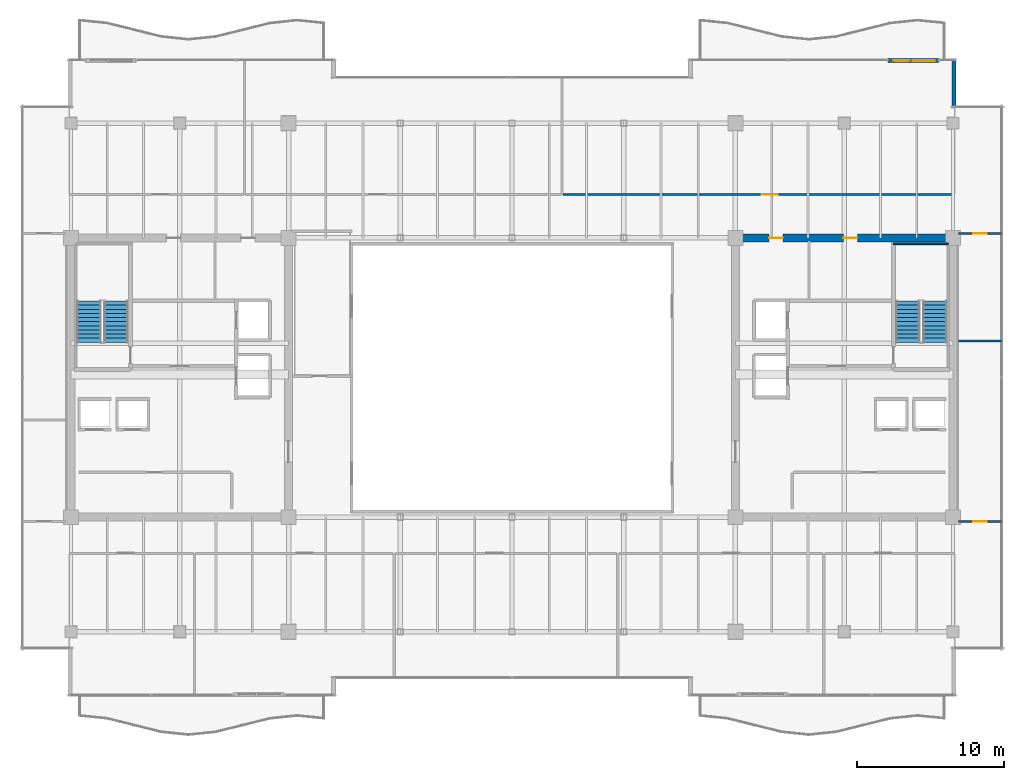
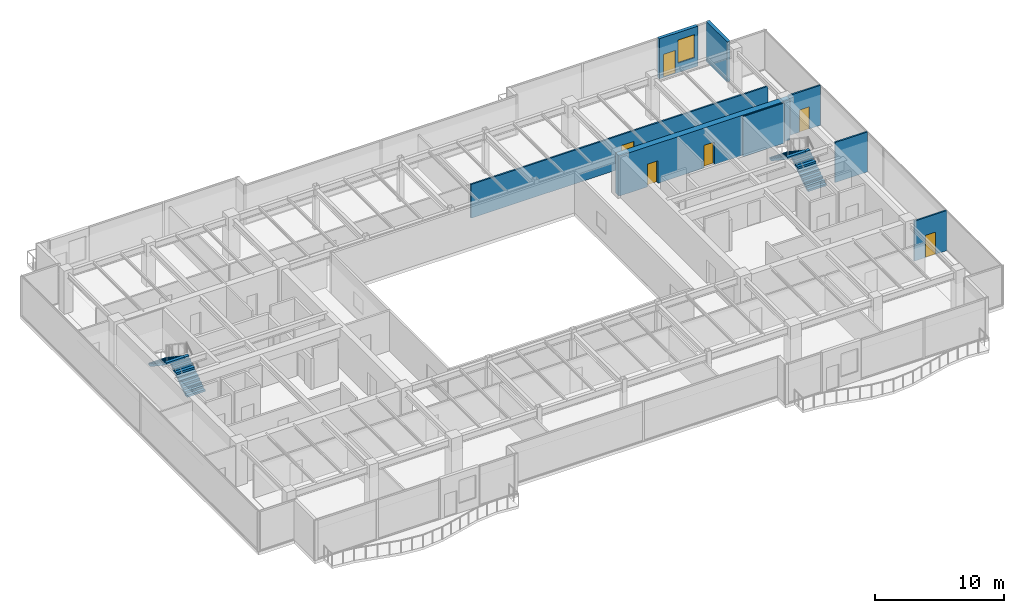
# One storey, part 31 of 35: 8 walls, 6 doors, 4 stair flights, 1 window, 7 openings, 2 elements without a shape of their own.
"""IFC4 building model written with IfcOpenShell, lengths in metres."""

from ifc_helpers import new_model, si_unit, direction, frame, frame_2d, origin, place, context, subcontext, project, spatial, polyline, rectangle, outline, extrude, source, transform, mapped, material, layer, layer_set, type_object, type_shapes, element, fill, aggregate, save


model = new_model("IFC4")

# Units and contexts
model_context = context("Model", 3, precision=1e-05, world=origin(), true_north=direction((0.0, 1.0)))
body_context = subcontext(model_context, "Body", "Model", "MODEL_VIEW")
ifc_project = project(units=[si_unit("LENGTHUNIT", "METRE"), si_unit("AREAUNIT", "SQUARE_METRE"), si_unit("VOLUMEUNIT", "CUBIC_METRE"), si_unit("PLANEANGLEUNIT", "RADIAN"), si_unit("MASSUNIT", "GRAM", prefix="KILO")], contexts=[model_context])

# Site, building, storey
site_placement = place(None, origin())
site = spatial("IfcSite", under=ifc_project, at=site_placement, CompositionType="ELEMENT")
building_placement = place(site_placement, origin())
building = spatial("IfcBuilding", under=site, at=building_placement, Name="Haelvirn Gate Laboratories", CompositionType="ELEMENT")
storey_placement = place(building_placement, frame((0.0, 0.0, 283.39990234375)))
storey = spatial("IfcBuildingStorey", under=building, at=storey_placement, Name="L68", CompositionType="ELEMENT", Elevation=283.39990234375)

# Wall, openings, door, window
ifc_material_1 = material(Name="Thermally-broken bronze aluminium rainscreen & mineral wool", Category="aluminium")
ifc_layer_1 = layer(ifc_material_1, 0.280029296875, Name="EW-TERR-280")
ifc_layer_set_1 = layer_set([ifc_layer_1], Name="Thermally-broken bronze aluminium rainscreen & mineral wool")
wall_type_1 = type_object("IfcWallType", Name="EW-TERR-280", PredefinedType="STANDARD", material=ifc_layer_set_1)
wall_1_placement = place(storey_placement, frame((62.971923828125, 45.860107421875, 0.0), z_axis=(0.0, 0.0, 1.0), x_axis=(1.0, 0.0, 0.0)))
wall_1 = element("IfcWall", 1, at=wall_1_placement, inside=storey, type_object=wall_type_1, Name="L68 Terrace Access Wall WB-EL-N", PredefinedType="STANDARD", context=body_context, shape_type="SweptSolid", body=[
    extrude(rectangle(XDim=3.4560546875, YDim=0.280029296875, at=frame_2d((1.72802734375, 0.0))), origin(), (0.0, 0.0, 1.0), 3.800048828125),
])
opening_1_placement = place(wall_1_placement, frame((0.3779296875, 0.0, 0.0)))
opening_1 = element("IfcOpeningElement", 2, at=opening_1_placement, cuts=wall_1, Name="Opening TD1", PredefinedType="OPENING", context=body_context, shape_type="SweptSolid", body=[
    extrude(rectangle(XDim=1.10009765625, YDim=2.199951171875, at=frame_2d((0.550048828125, 1.10009765625))), frame((0.0, 0.14990234375, 0.0), z_axis=(0.0, -1.0, 0.0), x_axis=(1.0, 0.0, 0.0)), (0.0, 0.0, 1.0), 0.300048828125),
])
opening_2_placement = place(wall_1_placement, frame((1.677978515625, 0.0, 0.89990234375)))
opening_2 = element("IfcOpeningElement", 3, at=opening_2_placement, cuts=wall_1, Name="Opening W3", PredefinedType="OPENING", context=body_context, shape_type="SweptSolid", body=[
    extrude(rectangle(XDim=1.5, YDim=2.199951171875, at=frame_2d((0.75, 1.10009765625))), frame((0.0, 0.14990234375, 0.0), z_axis=(0.0, -1.0, 0.0), x_axis=(1.0, 0.0, 0.0)), (0.0, 0.0, 1.0), 0.300048828125),
])
ifc_material_2 = material(Name="Thermally-broken bronze aluminium glazed terrace door", Category="aluminium")
door_type_1 = type_object("IfcDoorType", Name="DR-TERR-1100", OperationType="NOTDEFINED", PredefinedType="DOOR", material=ifc_material_2)
shared_shape_1 = source(origin(), body_context, "Body", "SweptSolid", [
    extrude(rectangle(XDim=1.10009765625, YDim=2.199951171875, at=frame_2d((0.550048828125, 1.10009765625))), frame((0.0, 0.02490234375, 0.0), z_axis=(0.0, -1.0, 0.0), x_axis=(1.0, 0.0, 0.0)), (0.0, 0.0, 1.0), 0.050048828125),
])
type_shapes(door_type_1, [shared_shape_1])
door_1_placement = place(opening_1_placement, origin())
door_1 = element("IfcDoor", 4, at=door_1_placement, inside=storey, type_object=door_type_1, Name="L68 Terrace Access Door WB-EL-N", OperationType="SINGLE_SWING_RIGHT", OverallHeight=2.199951171875, OverallWidth=1.10009765625, PredefinedType="DOOR", context=body_context, shape_type="MappedRepresentation", body=[
    mapped(shared_shape_1, transform((0.0, 0.0, 0.0), scale=1.0)),
])
fill(opening_1, door_1)
ifc_material_3 = material(Name="Bronze anodised aluminium & triple low-E glass", Category="aluminium")
window_type = type_object("IfcWindowType", Name="WIN-TERR-1600", PartitioningType="SINGLE_PANEL", PredefinedType="WINDOW", material=ifc_material_3)
shared_shape_2 = source(origin(), body_context, "Body", "SweptSolid", [
    extrude(rectangle(XDim=1.5, YDim=2.199951171875, at=frame_2d((0.75, 1.10009765625))), frame((0.0, 0.030029296875, 0.0), z_axis=(0.0, -1.0, 0.0), x_axis=(1.0, 0.0, 0.0)), (0.0, 0.0, 1.0), 0.06005859375),
])
type_shapes(window_type, [shared_shape_2])
window_placement = place(opening_2_placement, origin())
window = element("IfcWindow", 5, at=window_placement, inside=storey, type_object=window_type, Name="L68 Terrace Vision Window WB-EL-N", OverallHeight=2.199951171875, OverallWidth=1.5, PartitioningType="SINGLE_PANEL", PredefinedType="WINDOW", context=body_context, shape_type="MappedRepresentation", body=[
    mapped(shared_shape_2, transform((0.0, 0.0, 0.0), scale=1.0)),
])
fill(opening_2, window)

# Wall
wall_2_placement = place(storey_placement, frame((67.4599609375, 42.7119140625, 0.0), z_axis=(0.0, 0.0, 1.0), x_axis=(0.0, 1.0, 0.0)))
element("IfcWall", 6, at=wall_2_placement, inside=storey, type_object=wall_type_1, Name="L68 Atrium Recess Bronze Return Wall 09", PredefinedType="STANDARD", context=body_context, shape_type="SweptSolid", body=[
    extrude(rectangle(XDim=3.2880859375, YDim=0.280029296875, at=frame_2d((1.64404296875, 0.0))), origin(), (0.0, 0.0, 1.0), 3.800048828125),
])

# Wall, opening, door
ifc_material_4 = material(Name="Acoustic mineral-wool gypsum board partition", Category="gypsum")
ifc_layer_2 = layer(ifc_material_4, 0.139892578125, Name="IW-PART-140")
ifc_layer_set_2 = layer_set([ifc_layer_2], Name="Acoustic mineral-wool gypsum board partition")
wall_type_2 = type_object("IfcWallType", Name="IW-PART-140", PredefinedType="PARTITIONING", material=ifc_layer_set_2)
wall_3_placement = place(storey_placement, frame((40.8798828125, 36.760009765625, 0.0), z_axis=(0.0, 0.0, 1.0), x_axis=(1.0, 0.0, 0.0)))
wall_3 = element("IfcWall", 7, at=wall_3_placement, inside=storey, type_object=wall_type_2, Name="L68 Interior Wall IW-L68-NCORR-03", PredefinedType="PARTITIONING", context=body_context, shape_type="SweptSolid", body=[
    extrude(rectangle(XDim=26.610107421875, YDim=0.139892578125, at=frame_2d((13.30517578125, 0.0))), origin(), (0.0, 0.0, 1.0), 3.197021484375),
])
opening_3_placement = place(wall_3_placement, frame((13.499267578125, 0.0, 0.0)))
opening_3 = element("IfcOpeningElement", 8, at=opening_3_placement, cuts=wall_3, Name="Opening D1", PredefinedType="OPENING", context=body_context, shape_type="SweptSolid", body=[
    extrude(rectangle(XDim=1.10009765625, YDim=2.179931640625, at=frame_2d((0.550048828125, 1.08984375))), frame((0.0, 0.080078125, 0.0), z_axis=(0.0, -1.0, 0.0), x_axis=(1.0, 0.0, 0.0)), (0.0, 0.0, 1.0), 0.159912109375),
])
ifc_material_5 = material(Name="Vision-panel acoustic solid-core timber lab door", Category="wood")
door_type_2 = type_object("IfcDoorType", Name="DR-LAB-1100", OperationType="NOTDEFINED", PredefinedType="DOOR", material=ifc_material_5)
shared_shape_3 = source(origin(), body_context, "Body", "SweptSolid", [
    extrude(rectangle(XDim=1.10009765625, YDim=2.179931640625, at=frame_2d((0.550048828125, 1.08984375))), frame((0.0, 0.02490234375, 0.0), z_axis=(0.0, -1.0, 0.0), x_axis=(1.0, 0.0, 0.0)), (0.0, 0.0, 1.0), 0.050048828125),
])
type_shapes(door_type_2, [shared_shape_3])
door_2_placement = place(opening_3_placement, origin())
door_2 = element("IfcDoor", 9, at=door_2_placement, inside=storey, type_object=door_type_2, Name="L68 Bioinformatics Dry-Lab Workspace Door N3", OperationType="SINGLE_SWING_RIGHT", OverallHeight=2.179931640625, OverallWidth=1.10009765625, PredefinedType="DOOR", context=body_context, shape_type="MappedRepresentation", body=[
    mapped(shared_shape_3, transform((0.0, 0.0, 0.0), scale=1.0)),
])
fill(opening_3, door_2)

# Wall
wall_4_placement = place(storey_placement, frame((67.780029296875, 26.800048828125, 0.0), z_axis=(0.0, 0.0, 1.0), x_axis=(1.0, 0.0, 0.0)))
element("IfcWall", 10, at=wall_4_placement, inside=storey, type_object=wall_type_2, Name="L68 Interior Wall IW-L68-EZ3-MID", PredefinedType="PARTITIONING", context=body_context, shape_type="SweptSolid", body=[
    extrude(rectangle(XDim=2.909912109375, YDim=0.139892578125, at=frame_2d((1.455078125, 0.0))), origin(), (0.0, 0.0, 1.0), 3.800048828125),
])

# Wall, opening, door
wall_5_placement = place(storey_placement, frame((67.780029296875, 14.5048828125, 0.0), z_axis=(0.0, 0.0, 1.0), x_axis=(1.0, 0.0, 0.0)))
wall_5 = element("IfcWall", 11, at=wall_5_placement, inside=storey, type_object=wall_type_2, Name="L68 Interior Wall IW-L68-EZ3-ENT-S", PredefinedType="PARTITIONING", context=body_context, shape_type="SweptSolid", body=[
    extrude(rectangle(XDim=2.909912109375, YDim=0.139892578125, at=frame_2d((1.455078125, 0.0))), origin(), (0.0, 0.0, 1.0), 3.800048828125),
])
opening_4_placement = place(wall_5_placement, frame((1.0048828125, 0.0, 0.0)))
opening_4 = element("IfcOpeningElement", 12, at=opening_4_placement, cuts=wall_5, Name="Opening D4", PredefinedType="OPENING", context=body_context, shape_type="SweptSolid", body=[
    extrude(rectangle(XDim=0.89990234375, YDim=2.10009765625, at=frame_2d((0.449951171875, 1.050048828125))), frame((0.0, 0.080078125, 0.0), z_axis=(0.0, -1.0, 0.0), x_axis=(1.0, 0.0, 0.0)), (0.0, 0.0, 1.0), 0.159912109375),
])
ifc_material_6 = material(Name="Glazed aluminium-framed write-up door", Category="aluminium")
door_type_3 = type_object("IfcDoorType", Name="DR-OFF-900", OperationType="NOTDEFINED", PredefinedType="DOOR", material=ifc_material_6)
shared_shape_4 = source(origin(), body_context, "Body", "SweptSolid", [
    extrude(rectangle(XDim=0.89990234375, YDim=2.10009765625, at=frame_2d((0.449951171875, 1.050048828125))), frame((0.0, 0.02490234375, 0.0), z_axis=(0.0, -1.0, 0.0), x_axis=(1.0, 0.0, 0.0)), (0.0, 0.0, 1.0), 0.050048828125),
])
type_shapes(door_type_3, [shared_shape_4])
door_3_placement = place(opening_4_placement, origin())
door_3 = element("IfcDoor", 13, at=door_3_placement, inside=storey, type_object=door_type_3, Name="L68 Genomics Assay Laboratory Door E-S", OperationType="SINGLE_SWING_LEFT", OverallHeight=2.10009765625, OverallWidth=0.89990234375, PredefinedType="DOOR", context=body_context, shape_type="MappedRepresentation", body=[
    mapped(shared_shape_4, transform((0.0, 0.0, 0.0), scale=1.0)),
])
fill(opening_4, door_3)

wall_6_placement = place(storey_placement, frame((67.780029296875, 34.094970703125, 0.0), z_axis=(0.0, 0.0, 1.0), x_axis=(1.0, 0.0, 0.0)))
wall_6 = element("IfcWall", 14, at=wall_6_placement, inside=storey, type_object=wall_type_2, Name="L68 Interior Wall IW-L68-EZ3-ENT-N", PredefinedType="PARTITIONING", context=body_context, shape_type="SweptSolid", body=[
    extrude(rectangle(XDim=2.909912109375, YDim=0.139892578125, at=frame_2d((1.455078125, 0.0))), origin(), (0.0, 0.0, 1.0), 3.800048828125),
])
opening_5_placement = place(wall_6_placement, frame((1.0048828125, 0.0, 0.0)))
opening_5 = element("IfcOpeningElement", 15, at=opening_5_placement, cuts=wall_6, Name="Opening D4", PredefinedType="OPENING", context=body_context, shape_type="SweptSolid", body=[
    extrude(rectangle(XDim=0.89990234375, YDim=2.10009765625, at=frame_2d((0.449951171875, 1.050048828125))), frame((0.0, 0.080078125, 0.0), z_axis=(0.0, -1.0, 0.0), x_axis=(1.0, 0.0, 0.0)), (0.0, 0.0, 1.0), 0.159912109375),
])
door_4_placement = place(opening_5_placement, origin())
door_4 = element("IfcDoor", 16, at=door_4_placement, inside=storey, type_object=door_type_3, Name="L68 Chemical Synthesis Laboratory Door E-N", OperationType="SINGLE_SWING_RIGHT", OverallHeight=2.10009765625, OverallWidth=0.89990234375, PredefinedType="DOOR", context=body_context, shape_type="MappedRepresentation", body=[
    mapped(shared_shape_4, transform((0.0, 0.0, 0.0), scale=1.0)),
])
fill(opening_5, door_4)

# Wall, openings, doors
ifc_material_7 = material(Name="Concrete C50/60", Category="concrete")
ifc_layer_3 = layer(ifc_material_7, 0.550048828125, Name="SW-CORE-550")
ifc_layer_set_3 = layer_set([ifc_layer_3], Name="Concrete C50/60")
wall_type_3 = type_object("IfcWallType", Name="SW-CORE-550", PredefinedType="SHEAR", material=ifc_layer_set_3)
wall_7_placement = place(storey_placement, frame((52.324951171875, 33.800048828125, 0.0), z_axis=(0.0, 0.0, 1.0), x_axis=(1.0, 0.0, 0.0)))
wall_7 = element("IfcWall", 17, at=wall_7_placement, inside=storey, type_object=wall_type_3, Name="L68 E Core Shear Wall N", PredefinedType="SHEAR", context=body_context, shape_type="SweptSolid", body=[
    extrude(rectangle(XDim=15.35009765625, YDim=0.550048828125, at=frame_2d((7.675048828125, 0.0))), origin(), (0.0, 0.0, 1.0), 3.800048828125),
])
opening_6_placement = place(wall_7_placement, frame((7.625, 0.0, 0.0)))
opening_6 = element("IfcOpeningElement", 18, at=opening_6_placement, cuts=wall_7, Name="Opening FD4", PredefinedType="OPENING", context=body_context, shape_type="SweptSolid", body=[
    extrude(rectangle(XDim=0.949951171875, YDim=2.14990234375, at=frame_2d((0.47509765625, 1.074951171875))), frame((0.0, 0.28515625, 0.0), z_axis=(0.0, -1.0, 0.0), x_axis=(1.0, 0.0, 0.0)), (0.0, 0.0, 1.0), 0.570068359375),
])
opening_7_placement = place(wall_7_placement, frame((2.56005859375, 0.0, 0.0)))
opening_7 = element("IfcOpeningElement", 19, at=opening_7_placement, cuts=wall_7, Name="Opening FD4", PredefinedType="OPENING", context=body_context, shape_type="SweptSolid", body=[
    extrude(rectangle(XDim=0.949951171875, YDim=2.14990234375, at=frame_2d((0.47509765625, 1.074951171875))), frame((0.0, 0.28515625, 0.0), z_axis=(0.0, -1.0, 0.0), x_axis=(1.0, 0.0, 0.0)), (0.0, 0.0, 1.0), 0.570068359375),
])
ifc_material_8 = material(Name="Fire-rated steel SM355 core service door", Category="steel")
door_type_4 = type_object("IfcDoorType", Name="DR-FD-950", OperationType="NOTDEFINED", PredefinedType="DOOR", material=ifc_material_8)
shared_shape_5 = source(origin(), body_context, "Body", "SweptSolid", [
    extrude(rectangle(XDim=0.949951171875, YDim=2.14990234375, at=frame_2d((0.47509765625, 1.074951171875))), frame((0.0, 0.02490234375, 0.0), z_axis=(0.0, -1.0, 0.0), x_axis=(1.0, 0.0, 0.0)), (0.0, 0.0, 1.0), 0.050048828125),
])
type_shapes(door_type_4, [shared_shape_5])
door_5_placement = place(opening_6_placement, origin())
door_5 = element("IfcDoor", 20, at=door_5_placement, inside=storey, type_object=door_type_4, Name="L68 All-Gender Multi-Stall Restroom Fire Door", OperationType="SINGLE_SWING_LEFT", OverallHeight=2.14990234375, OverallWidth=0.949951171875, PredefinedType="DOOR", context=body_context, shape_type="MappedRepresentation", body=[
    mapped(shared_shape_5, transform((0.0, 0.0, 0.0), scale=1.0)),
])
fill(opening_6, door_5)
door_6_placement = place(opening_7_placement, origin())
door_6 = element("IfcDoor", 21, at=door_6_placement, inside=storey, type_object=door_type_4, Name="L68 Accessible Restroom Fire Door", OperationType="SINGLE_SWING_RIGHT", OverallHeight=2.14990234375, OverallWidth=0.949951171875, PredefinedType="DOOR", context=body_context, shape_type="MappedRepresentation", body=[
    mapped(shared_shape_5, transform((0.0, 0.0, 0.0), scale=1.0)),
])
fill(opening_7, door_6)

# Wall
ifc_layer_4 = layer(ifc_material_7, 0.1201171875, Name="SW-LINER-120")
ifc_layer_set_4 = layer_set([ifc_layer_4], Name="Concrete C50/60")
wall_type_4 = type_object("IfcWallType", Name="SW-LINER-120", PredefinedType="SOLIDWALL", material=ifc_layer_set_4)
wall_8_placement = place(storey_placement, frame((63.35009765625, 33.39990234375, 0.0), z_axis=(0.0, 0.0, 1.0), x_axis=(1.0, 0.0, 0.0)))
element("IfcWall", 22, at=wall_8_placement, inside=storey, type_object=wall_type_4, Name="L68 E Core Stair Shaft Liner Wall N", PredefinedType="SOLIDWALL", context=body_context, shape_type="SweptSolid", body=[
    extrude(rectangle(XDim=3.719970703125, YDim=0.1201171875, at=frame_2d((1.85986328125, 0.0))), origin(), (0.0, 0.0, 1.0), 3.800048828125),
])

# Stair, stair flights
ifc_material_9 = material(Name="Concrete C40/50", Category="concrete")
stair_type = type_object("IfcStairType", Name="ST-DOG-1650-R22", PredefinedType="HALF_TURN_STAIR", material=ifc_material_9)
stair_1_placement = place(storey_placement, origin())
stair_1 = element("IfcStair", 23, at=stair_1_placement, inside=storey, type_object=stair_type, Name="L68 Escape Stair ST1", PredefinedType="HALF_TURN_STAIR")
stair_flight_type = type_object("IfcStairFlightType", Name="STF-1650-R11", PredefinedType="STRAIGHT", material=ifc_material_9)
shared_shape_6 = source(origin(), body_context, "Body", "SweptSolid", [
    extrude(outline(polyline([(0.0, 0.0), (0.0, 0.186279296875), (0.280029296875, 0.186279296875), (0.280029296875, 0.372802734375), (0.56005859375, 0.372802734375), (0.56005859375, 0.55908203125), (0.840087890625, 0.55908203125), (0.840087890625, 0.745361328125), (1.1201171875, 0.745361328125), (1.1201171875, 0.931884765625), (1.39990234375, 0.931884765625), (1.39990234375, 1.1181640625), (1.679931640625, 1.1181640625), (1.679931640625, 1.304443359375), (1.9599609375, 1.304443359375), (1.9599609375, 1.490966796875), (2.239990234375, 1.490966796875), (2.239990234375, 1.67724609375), (2.52001953125, 1.67724609375), (2.52001953125, 1.863525390625), (2.800048828125, 1.863525390625), (2.800048828125, 2.050048828125), (2.800048828125, 1.671630859375), (0.28857421875, 0.0), (0.0, 0.0)])), frame((0.0, 0.824951171875, 0.0), z_axis=(0.0, -1.0, 0.0), x_axis=(1.0, 0.0, 0.0)), (0.0, 0.0, 1.0), 1.64990234375),
])
type_shapes(stair_flight_type, [shared_shape_6])
stair_flight_1_placement = place(storey_placement, frame((10.47509765625, 26.699951171875, 0.0), z_axis=(0.0, 0.0, 1.0), x_axis=(0.0, 1.0, 0.0)))
stair_flight_1 = element("IfcStairFlight", 24, at=stair_flight_1_placement, type_object=stair_flight_type, Name="ST1 flight 1", NumberOfRisers=11, NumberOfTreads=10, PredefinedType="STRAIGHT", RiserHeight=0.186363636, TreadLength=0.28, context=body_context, shape_type="MappedRepresentation", body=[
    mapped(shared_shape_6, transform((0.0, 0.0, 0.0), scale=1.0)),
])
stair_flight_2_placement = place(storey_placement, frame((8.625, 29.5, 2.050048828125), z_axis=(0.0, 0.0, 1.0), x_axis=(0.0, -1.0, 0.0)))
stair_flight_2 = element("IfcStairFlight", 25, at=stair_flight_2_placement, type_object=stair_flight_type, Name="ST1 flight 2", NumberOfRisers=11, NumberOfTreads=10, PredefinedType="STRAIGHT", RiserHeight=0.186363636, TreadLength=0.28, context=body_context, shape_type="MappedRepresentation", body=[
    mapped(shared_shape_6, transform((0.0, 0.0, 0.0), scale=1.0)),
])
aggregate(stair_1, [stair_flight_1, stair_flight_2])

stair_2_placement = place(storey_placement, origin())
stair_2 = element("IfcStair", 26, at=stair_2_placement, inside=storey, type_object=stair_type, Name="L68 Escape Stair ST2", PredefinedType="HALF_TURN_STAIR")
stair_flight_3_placement = place(storey_placement, frame((66.175048828125, 26.699951171875, 0.0), z_axis=(0.0, 0.0, 1.0), x_axis=(0.0, 1.0, 0.0)))
stair_flight_3 = element("IfcStairFlight", 27, at=stair_flight_3_placement, type_object=stair_flight_type, Name="ST2 flight 1", NumberOfRisers=11, NumberOfTreads=10, PredefinedType="STRAIGHT", RiserHeight=0.186363636, TreadLength=0.28, context=body_context, shape_type="MappedRepresentation", body=[
    mapped(shared_shape_6, transform((0.0, 0.0, 0.0), scale=1.0)),
])
stair_flight_4_placement = place(storey_placement, frame((64.324951171875, 29.5, 2.050048828125), z_axis=(0.0, 0.0, 1.0), x_axis=(0.0, -1.0, 0.0)))
stair_flight_4 = element("IfcStairFlight", 28, at=stair_flight_4_placement, type_object=stair_flight_type, Name="ST2 flight 2", NumberOfRisers=11, NumberOfTreads=10, PredefinedType="STRAIGHT", RiserHeight=0.186363636, TreadLength=0.28, context=body_context, shape_type="MappedRepresentation", body=[
    mapped(shared_shape_6, transform((0.0, 0.0, 0.0), scale=1.0)),
])
aggregate(stair_2, [stair_flight_3, stair_flight_4])

save(model, "model.ifc")
